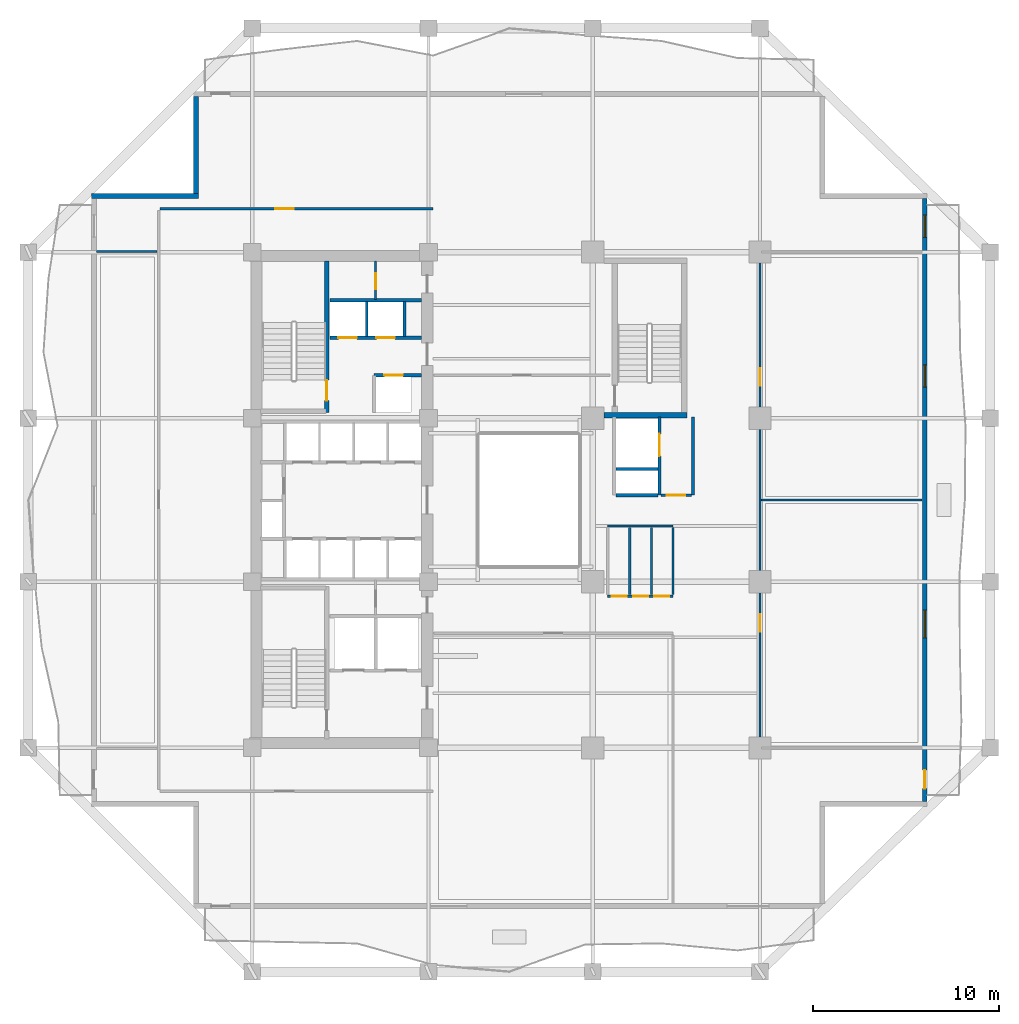
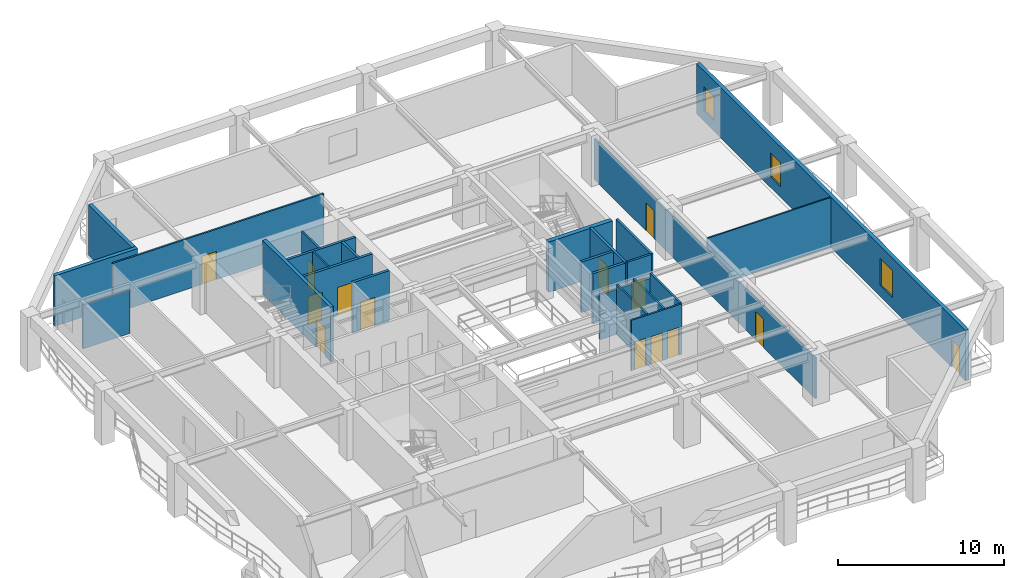
# One storey, part 4 of 13: 25 walls, 14 doors, 3 windows, 17 openings.
"""IFC4 building model written with IfcOpenShell, lengths in metres."""

from ifc_helpers import new_model, si_unit, direction, frame, frame_2d, origin, place, context, subcontext, project, spatial, rectangle, extrude, material, layer, layer_set, type_object, element, fill, save


model = new_model("IFC4")

# Units and contexts
model_context = context("Model", 3, precision=1e-05, world=origin(), true_north=direction((0.0, 1.0)))
body_context = subcontext(model_context, "Body", "Model", "MODEL_VIEW")
ifc_project = project(units=[si_unit("LENGTHUNIT", "METRE"), si_unit("AREAUNIT", "SQUARE_METRE"), si_unit("VOLUMEUNIT", "CUBIC_METRE"), si_unit("PLANEANGLEUNIT", "RADIAN"), si_unit("MASSUNIT", "GRAM", prefix="KILO")], contexts=[model_context])

# Site, building, storey
site_placement = place(None, origin())
site = spatial("IfcSite", under=ifc_project, at=site_placement, CompositionType="ELEMENT")
building_placement = place(site_placement, origin())
building = spatial("IfcBuilding", under=site, at=building_placement, Name="Kundavana Baori Tower", CompositionType="ELEMENT")
storey_placement = place(building_placement, frame((0.0, 0.0, 34.0)))
storey = spatial("IfcBuildingStorey", under=building, at=storey_placement, Name="L07", CompositionType="ELEMENT", Elevation=34.0)

# Wall, opening, door
ifc_material_1 = material(Name="Concrete C50/60", Category="concrete")
ifc_layer_1 = layer(ifc_material_1, 0.39990234375, Name="WL-CORE-400")
ifc_layer_set_1 = layer_set([ifc_layer_1], Name="Concrete C50/60")
wall_type_1 = type_object("IfcWallType", Name="WL-CORE-400", PredefinedType="SHEAR", material=ifc_layer_set_1)
wall_1_placement = place(storey_placement, frame((19.4599609375, 33.300048828125, 0.0), z_axis=(0.0, 0.0, 1.0), x_axis=(0.0, 1.0, 0.0)))
wall_1 = element("IfcWall", 1, at=wall_1_placement, inside=storey, type_object=wall_type_1, Name="WL-L07-ST2-E", PredefinedType="SHEAR", context=body_context, shape_type="SweptSolid", body=[
    extrude(rectangle(XDim=8.179931640625, YDim=0.239990234375, at=frame_2d((4.08984375, 0.0))), origin(), (0.0, 0.0, 1.0), 4.0),
])
opening_1_placement = place(wall_1_placement, frame((0.64990234375, 0.0, 0.0)))
opening_1 = element("IfcOpeningElement", 2, at=opening_1_placement, cuts=wall_1, Name="Opening FD-110", PredefinedType="OPENING", context=body_context, shape_type="SweptSolid", body=[
    extrude(rectangle(XDim=1.10009765625, YDim=2.10009765625, at=frame_2d((0.550048828125, 1.050048828125))), frame((0.0, 0.1298828125, 0.0), z_axis=(0.0, -1.0, 0.0), x_axis=(1.0, 0.0, 0.0)), (0.0, 0.0, 1.0), 0.260009765625),
])
ifc_material_2 = material(Name="Galvanised Steel Fire-Rated Door Leaf", Category="steel")
door_type_1 = type_object("IfcDoorType", Name="DR-FD120-1100", OperationType="NOTDEFINED", PredefinedType="DOOR", material=ifc_material_2)
door_1_placement = place(opening_1_placement, origin())
door_1 = element("IfcDoor", 3, at=door_1_placement, inside=storey, type_object=door_type_1, Name="DR-L07-ST2", OperationType="SINGLE_SWING_RIGHT", OverallHeight=2.10009765625, OverallWidth=1.10009765625, PredefinedType="DOOR", context=body_context, shape_type="SweptSolid", body=[
    extrude(rectangle(XDim=1.10009765625, YDim=2.10009765625, at=frame_2d((0.550048828125, 1.050048828125))), frame((0.0, 0.02490234375, 0.0), z_axis=(0.0, -1.0, 0.0), x_axis=(1.0, 0.0, 0.0)), (0.0, 0.0, 1.0), 0.050048828125),
])
fill(opening_1, door_1)

# Wall, openings, door, windows
ifc_material_3 = material(Name="Kiln-Fired Terracotta Brick-Slip Masonry on Concrete C40/50", Category="masonry")
ifc_layer_2 = layer(ifc_material_3, 0.260009765625, Name="WL-EXT-BRK-260")
ifc_layer_set_2 = layer_set([ifc_layer_2], Name="Kiln-Fired Terracotta Brick-Slip Masonry on Concrete C40/50")
wall_type_2 = type_object("IfcWallType", Name="WL-EXT-BRK-260", PredefinedType="SOLIDWALL", material=ifc_layer_set_2)
wall_2_placement = place(storey_placement, frame((51.669921875, 12.360107421875, 0.0), z_axis=(0.0, 0.0, 1.0), x_axis=(0.0, 1.0, 0.0)))
wall_2 = element("IfcWall", 4, at=wall_2_placement, inside=storey, type_object=wall_type_2, Name="L07 Exterior Insulated Facade Wall 04", PredefinedType="SOLIDWALL", context=body_context, shape_type="SweptSolid", body=[
    extrude(rectangle(XDim=32.47998046875, YDim=0.260009765625, at=frame_2d((16.239990234375, 0.0))), origin(), (0.0, 0.0, 1.0), 3.719970703125),
])
opening_2_placement = place(wall_2_placement, frame((0.68994140625, 0.0, 0.0)))
opening_2 = element("IfcOpeningElement", 5, at=opening_2_placement, cuts=wall_2, Name="Opening BD-1", PredefinedType="OPENING", context=body_context, shape_type="SweptSolid", body=[
    extrude(rectangle(XDim=1.0, YDim=2.050048828125, at=frame_2d((0.5, 1.02490234375))), frame((0.0, 0.14013671875, 0.0), z_axis=(0.0, -1.0, 0.0), x_axis=(1.0, 0.0, 0.0)), (0.0, 0.0, 1.0), 0.280029296875),
])
opening_3_placement = place(wall_2_placement, frame((8.81494140625, 0.0, 0.800048828125)))
opening_3 = element("IfcOpeningElement", 6, at=opening_3_placement, cuts=wall_2, Name="Opening W-02", PredefinedType="OPENING", context=body_context, shape_type="SweptSolid", body=[
    extrude(rectangle(XDim=1.5, YDim=2.0, at=frame_2d((0.75, 1.0))), frame((0.0, 0.14013671875, 0.0), z_axis=(0.0, -1.0, 0.0), x_axis=(1.0, 0.0, 0.0)), (0.0, 0.0, 1.0), 0.280029296875),
])
opening_4_placement = place(wall_2_placement, frame((22.31494140625, 0.0, 0.800048828125)))
opening_4 = element("IfcOpeningElement", 7, at=opening_4_placement, cuts=wall_2, Name="Opening W-03", PredefinedType="OPENING", context=body_context, shape_type="SweptSolid", body=[
    extrude(rectangle(XDim=1.199951171875, YDim=1.75, at=frame_2d((0.60009765625, 0.875))), frame((0.0, 0.14013671875, 0.0), z_axis=(0.0, -1.0, 0.0), x_axis=(1.0, 0.0, 0.0)), (0.0, 0.0, 1.0), 0.280029296875),
])
opening_5_placement = place(wall_2_placement, frame((30.3798828125, 0.0, 0.800048828125)))
opening_5 = element("IfcOpeningElement", 8, at=opening_5_placement, cuts=wall_2, Name="Opening W-03", PredefinedType="OPENING", context=body_context, shape_type="SweptSolid", body=[
    extrude(rectangle(XDim=1.199951171875, YDim=1.75, at=frame_2d((0.60009765625, 0.875))), frame((0.0, 0.14013671875, 0.0), z_axis=(0.0, -1.0, 0.0), x_axis=(1.0, 0.0, 0.0)), (0.0, 0.0, 1.0), 0.280029296875),
])
ifc_material_4 = material(Name="Architectural Patinated Bronze Metalwork")
door_type_2 = type_object("IfcDoorType", Name="DR-EXT-LOG-1000", OperationType="NOTDEFINED", PredefinedType="DOOR", material=ifc_material_4)
door_2_placement = place(opening_2_placement, frame((1.0, 0.0, 0.0), z_axis=(0.0, 0.0, 1.0), x_axis=(-1.0, 0.0, 0.0)))
door_2 = element("IfcDoor", 9, at=door_2_placement, inside=storey, type_object=door_type_2, Name="L07 Loggia Balcony Access Door E", OperationType="SINGLE_SWING_RIGHT", OverallHeight=2.050048828125, OverallWidth=1.0, PredefinedType="DOOR", context=body_context, shape_type="SweptSolid", body=[
    extrude(rectangle(XDim=1.0, YDim=2.050048828125, at=frame_2d((0.5, 1.02490234375))), frame((0.0, 0.02490234375, 0.0), z_axis=(0.0, -1.0, 0.0), x_axis=(1.0, 0.0, 0.0)), (0.0, 0.0, 1.0), 0.050048828125),
])
fill(opening_2, door_2)
ifc_material_5 = material(Name="Double-Glazed Solar-Control Low-E Insulated Glass", Category="glass")
window_type_1 = type_object("IfcWindowType", Name="WIN-LOG-1200x1750", PartitioningType="SINGLE_PANEL", PredefinedType="WINDOW", material=ifc_material_5)
window_1_placement = place(opening_4_placement, origin())
window_1 = element("IfcWindow", 10, at=window_1_placement, inside=storey, type_object=window_type_1, Name="L07 Recessed Loggia Window E-3", OverallHeight=1.75, OverallWidth=1.199951171875, PartitioningType="SINGLE_PANEL", PredefinedType="WINDOW", context=body_context, shape_type="SweptSolid", body=[
    extrude(rectangle(XDim=1.199951171875, YDim=1.75, at=frame_2d((0.60009765625, 0.875))), frame((0.0, 0.030029296875, 0.0), z_axis=(0.0, -1.0, 0.0), x_axis=(1.0, 0.0, 0.0)), (0.0, 0.0, 1.0), 0.06005859375),
])
fill(opening_4, window_1)
window_2_placement = place(opening_5_placement, origin())
window_2 = element("IfcWindow", 11, at=window_2_placement, inside=storey, type_object=window_type_1, Name="L07 Recessed Loggia Window E-4", OverallHeight=1.75, OverallWidth=1.199951171875, PartitioningType="SINGLE_PANEL", PredefinedType="WINDOW", context=body_context, shape_type="SweptSolid", body=[
    extrude(rectangle(XDim=1.199951171875, YDim=1.75, at=frame_2d((0.60009765625, 0.875))), frame((0.0, 0.030029296875, 0.0), z_axis=(0.0, -1.0, 0.0), x_axis=(1.0, 0.0, 0.0)), (0.0, 0.0, 1.0), 0.06005859375),
])
fill(opening_5, window_2)
ifc_material_6 = material(Name="Double-Glazed Solar-Control Low-E Insulated Glass", Category="glass")
window_type_2 = type_object("IfcWindowType", Name="WIN-LOG-1500x2000", PartitioningType="SINGLE_PANEL", PredefinedType="WINDOW", material=ifc_material_6)
window_3_placement = place(opening_3_placement, origin())
window_3 = element("IfcWindow", 12, at=window_3_placement, inside=storey, type_object=window_type_2, Name="L07 Recessed Loggia Window E-2", OverallHeight=2.0, OverallWidth=1.5, PartitioningType="SINGLE_PANEL", PredefinedType="WINDOW", context=body_context, shape_type="SweptSolid", body=[
    extrude(rectangle(XDim=1.5, YDim=2.0, at=frame_2d((0.75, 1.0))), frame((0.0, 0.030029296875, 0.0), z_axis=(0.0, -1.0, 0.0), x_axis=(1.0, 0.0, 0.0)), (0.0, 0.0, 1.0), 0.06005859375),
])
fill(opening_3, window_3)

# Walls
wall_3_placement = place(storey_placement, frame((12.429931640625, 50.340087890625, 0.0), z_axis=(0.0, 0.0, 1.0), x_axis=(0.0, -1.0, 0.0)))
element("IfcWall", 13, at=wall_3_placement, inside=storey, type_object=wall_type_2, Name="L07 Exterior Insulated Facade Wall 08", PredefinedType="SOLIDWALL", context=body_context, shape_type="SweptSolid", body=[
    extrude(rectangle(XDim=5.239990234375, YDim=0.260009765625, at=frame_2d((2.6201171875, 0.0))), origin(), (0.0, 0.0, 1.0), 3.719970703125),
])
wall_4_placement = place(storey_placement, frame((12.56005859375, 44.969970703125, 0.0), z_axis=(0.0, 0.0, 1.0), x_axis=(-1.0, 0.0, 0.0)))
element("IfcWall", 14, at=wall_4_placement, inside=storey, type_object=wall_type_2, Name="L07 Exterior Insulated Facade Wall 09", PredefinedType="SOLIDWALL", context=body_context, shape_type="SweptSolid", body=[
    extrude(rectangle(XDim=5.760009765625, YDim=0.260009765625, at=frame_2d((2.8798828125, 0.0))), origin(), (0.0, 0.0, 1.0), 3.719970703125),
])
ifc_material_7 = material(Name="Acoustic Gypsum Plasterboard on Galvanised Steel Studs", Category="steel")
ifc_layer_3 = layer(ifc_material_7, 0.10009765625, Name="WL-MOV-100")
ifc_layer_set_3 = layer_set([ifc_layer_3], Name="Acoustic Gypsum Plasterboard on Galvanised Steel Studs")
wall_type_3 = type_object("IfcWallType", Name="WL-MOV-100", PredefinedType="MOVABLE", material=ifc_layer_set_3)
wall_5_placement = place(storey_placement, frame((42.8798828125, 28.60009765625, 0.0), z_axis=(0.0, 0.0, 1.0), x_axis=(1.0, 0.0, 0.0)))
element("IfcWall", 15, at=wall_5_placement, inside=storey, type_object=wall_type_3, Name="WL-L07-ED1", PredefinedType="MOVABLE", context=body_context, shape_type="SweptSolid", body=[
    extrude(rectangle(XDim=8.64013671875, YDim=0.10009765625, at=frame_2d((4.320068359375, 0.0))), origin(), (0.0, 0.0, 1.0), 3.719970703125),
])
ifc_material_8 = material(Name="Acoustic Gypsum Plasterboard on Galvanised Steel Studs", Category="steel")
ifc_layer_4 = layer(ifc_material_8, 0.1201171875, Name="WL-PART-120")
ifc_layer_set_4 = layer_set([ifc_layer_4], Name="Acoustic Gypsum Plasterboard on Galvanised Steel Studs")
wall_type_4 = type_object("IfcWallType", Name="WL-PART-120", PredefinedType="PARTITIONING", material=ifc_layer_set_4)
wall_6_placement = place(storey_placement, frame((21.6201171875, 37.39990234375, 0.0), z_axis=(0.0, 0.0, 1.0), x_axis=(0.0, 1.0, 0.0)))
element("IfcWall", 16, at=wall_6_placement, inside=storey, type_object=wall_type_4, Name="WL-L07-HR-DIV1", PredefinedType="PARTITIONING", context=body_context, shape_type="SweptSolid", body=[
    extrude(rectangle(XDim=1.900146484375, YDim=0.1201171875, at=frame_2d((0.9501953125, 0.0))), origin(), (0.0, 0.0, 1.0), 3.719970703125),
])

# Wall, opening, door
wall_7_placement = place(storey_placement, frame((22.10009765625, 39.39990234375, 0.0), z_axis=(0.0, 0.0, 1.0), x_axis=(0.0, 1.0, 0.0)))
wall_7 = element("IfcWall", 17, at=wall_7_placement, inside=storey, type_object=wall_type_4, Name="WL-L07-CSRV-D1", PredefinedType="PARTITIONING", context=body_context, shape_type="SweptSolid", body=[
    extrude(rectangle(XDim=2.080078125, YDim=0.1201171875, at=frame_2d((1.0400390625, 0.0))), origin(), (0.0, 0.0, 1.0), 3.719970703125),
])
opening_6_placement = place(wall_7_placement, frame((0.550048828125, 0.0, 0.0)))
opening_6 = element("IfcOpeningElement", 18, at=opening_6_placement, cuts=wall_7, Name="Opening FD-085", PredefinedType="OPENING", context=body_context, shape_type="SweptSolid", body=[
    extrude(rectangle(XDim=0.85009765625, YDim=2.06005859375, at=frame_2d((0.425048828125, 1.030029296875))), frame((0.0, 0.070068359375, 0.0), z_axis=(0.0, -1.0, 0.0), x_axis=(1.0, 0.0, 0.0)), (0.0, 0.0, 1.0), 0.14013671875),
])
ifc_material_9 = material(Name="Galvanised Steel Fire-Rated Door Leaf", Category="steel")
door_type_3 = type_object("IfcDoorType", Name="DR-FD60-850", OperationType="NOTDEFINED", PredefinedType="DOOR", material=ifc_material_9)
door_3_placement = place(opening_6_placement, origin())
door_3 = element("IfcDoor", 19, at=door_3_placement, inside=storey, type_object=door_type_3, Name="DR-L07-CSRV1", OperationType="SINGLE_SWING_LEFT", OverallHeight=2.06005859375, OverallWidth=0.85009765625, PredefinedType="DOOR", context=body_context, shape_type="SweptSolid", body=[
    extrude(rectangle(XDim=0.85009765625, YDim=2.06005859375, at=frame_2d((0.425048828125, 1.030029296875))), frame((0.0, 0.02490234375, 0.0), z_axis=(0.0, -1.0, 0.0), x_axis=(1.0, 0.0, 0.0)), (0.0, 0.0, 1.0), 0.050048828125),
])
fill(opening_6, door_3)

# Wall, openings, doors
wall_8_placement = place(storey_placement, frame((34.60009765625, 23.419921875, 0.0), z_axis=(0.0, 0.0, 1.0), x_axis=(1.0, 0.0, 0.0)))
wall_8 = element("IfcWall", 20, at=wall_8_placement, inside=storey, type_object=wall_type_4, Name="WL-L07-OFST", PredefinedType="PARTITIONING", context=body_context, shape_type="SweptSolid", body=[
    extrude(rectangle(XDim=3.52001953125, YDim=0.1201171875, at=frame_2d((1.760009765625, 0.0))), origin(), (0.0, 0.0, 1.0), 3.719970703125),
])
opening_7_placement = place(wall_8_placement, frame((0.219970703125, 0.0, 0.0)))
opening_7 = element("IfcOpeningElement", 21, at=opening_7_placement, cuts=wall_8, Name="Opening WD-080", PredefinedType="OPENING", context=body_context, shape_type="SweptSolid", body=[
    extrude(rectangle(XDim=0.800048828125, YDim=2.050048828125, at=frame_2d((0.39990234375, 1.02490234375))), frame((0.0, 0.070068359375, 0.0), z_axis=(0.0, -1.0, 0.0), x_axis=(1.0, 0.0, 0.0)), (0.0, 0.0, 1.0), 0.14013671875),
])
opening_8_placement = place(wall_8_placement, frame((1.3798828125, 0.0, 0.0)))
opening_8 = element("IfcOpeningElement", 22, at=opening_8_placement, cuts=wall_8, Name="Opening WD-080", PredefinedType="OPENING", context=body_context, shape_type="SweptSolid", body=[
    extrude(rectangle(XDim=0.800048828125, YDim=2.050048828125, at=frame_2d((0.39990234375, 1.02490234375))), frame((0.0, 0.070068359375, 0.0), z_axis=(0.0, -1.0, 0.0), x_axis=(1.0, 0.0, 0.0)), (0.0, 0.0, 1.0), 0.14013671875),
])
opening_9_placement = place(wall_8_placement, frame((2.52001953125, 0.0, 0.0)))
opening_9 = element("IfcOpeningElement", 23, at=opening_9_placement, cuts=wall_8, Name="Opening WD-080", PredefinedType="OPENING", context=body_context, shape_type="SweptSolid", body=[
    extrude(rectangle(XDim=0.800048828125, YDim=2.050048828125, at=frame_2d((0.39990234375, 1.02490234375))), frame((0.0, 0.070068359375, 0.0), z_axis=(0.0, -1.0, 0.0), x_axis=(1.0, 0.0, 0.0)), (0.0, 0.0, 1.0), 0.14013671875),
])
ifc_material_10 = material(Name="Engineered Teak Solid-Core Timber Veneer", Category="wood")
door_type_4 = type_object("IfcDoorType", Name="DR-WET-800", OperationType="NOTDEFINED", PredefinedType="DOOR", material=ifc_material_10)
door_4_placement = place(opening_7_placement, origin())
door_4 = element("IfcDoor", 24, at=door_4_placement, inside=storey, type_object=door_type_4, Name="DR-L07-WCM", OperationType="SINGLE_SWING_LEFT", OverallHeight=2.050048828125, OverallWidth=0.800048828125, PredefinedType="DOOR", context=body_context, shape_type="SweptSolid", body=[
    extrude(rectangle(XDim=0.800048828125, YDim=2.050048828125, at=frame_2d((0.39990234375, 1.02490234375))), frame((0.0, 0.02490234375, 0.0), z_axis=(0.0, -1.0, 0.0), x_axis=(1.0, 0.0, 0.0)), (0.0, 0.0, 1.0), 0.050048828125),
])
fill(opening_7, door_4)
door_5_placement = place(opening_8_placement, origin())
door_5 = element("IfcDoor", 25, at=door_5_placement, inside=storey, type_object=door_type_4, Name="DR-L07-WCA", OperationType="SINGLE_SWING_RIGHT", OverallHeight=2.050048828125, OverallWidth=0.800048828125, PredefinedType="DOOR", context=body_context, shape_type="SweptSolid", body=[
    extrude(rectangle(XDim=0.800048828125, YDim=2.050048828125, at=frame_2d((0.39990234375, 1.02490234375))), frame((0.0, 0.02490234375, 0.0), z_axis=(0.0, -1.0, 0.0), x_axis=(1.0, 0.0, 0.0)), (0.0, 0.0, 1.0), 0.050048828125),
])
fill(opening_8, door_5)
door_6_placement = place(opening_9_placement, origin())
door_6 = element("IfcDoor", 26, at=door_6_placement, inside=storey, type_object=door_type_4, Name="DR-L07-PNT", OperationType="SINGLE_SWING_LEFT", OverallHeight=2.050048828125, OverallWidth=0.800048828125, PredefinedType="DOOR", context=body_context, shape_type="SweptSolid", body=[
    extrude(rectangle(XDim=0.800048828125, YDim=2.050048828125, at=frame_2d((0.39990234375, 1.02490234375))), frame((0.0, 0.02490234375, 0.0), z_axis=(0.0, -1.0, 0.0), x_axis=(1.0, 0.0, 0.0)), (0.0, 0.0, 1.0), 0.050048828125),
])
fill(opening_9, door_6)

wall_9_placement = place(storey_placement, frame((42.800048828125, 15.25, 0.0), z_axis=(0.0, 0.0, 1.0), x_axis=(0.0, 1.0, 0.0)))
wall_9 = element("IfcWall", 27, at=wall_9_placement, inside=storey, type_object=wall_type_4, Name="WL-L07-OFE", PredefinedType="PARTITIONING", context=body_context, shape_type="SweptSolid", body=[
    extrude(rectangle(XDim=26.699951171875, YDim=0.1201171875, at=frame_2d((13.35009765625, 0.0))), origin(), (0.0, 0.0, 1.0), 3.02001953125),
])
opening_10_placement = place(wall_9_placement, frame((6.25, 0.0, 0.0)))
opening_10 = element("IfcOpeningElement", 28, at=opening_10_placement, cuts=wall_9, Name="Opening ID-095", PredefinedType="OPENING", context=body_context, shape_type="SweptSolid", body=[
    extrude(rectangle(XDim=0.949951171875, YDim=2.080078125, at=frame_2d((0.47509765625, 1.0400390625))), frame((0.0, 0.070068359375, 0.0), z_axis=(0.0, -1.0, 0.0), x_axis=(1.0, 0.0, 0.0)), (0.0, 0.0, 1.0), 0.14013671875),
])
opening_11_placement = place(wall_9_placement, frame((19.5, 0.0, 0.0)))
opening_11 = element("IfcOpeningElement", 29, at=opening_11_placement, cuts=wall_9, Name="Opening ID-095", PredefinedType="OPENING", context=body_context, shape_type="SweptSolid", body=[
    extrude(rectangle(XDim=0.949951171875, YDim=2.080078125, at=frame_2d((0.47509765625, 1.0400390625))), frame((0.0, 0.070068359375, 0.0), z_axis=(0.0, -1.0, 0.0), x_axis=(1.0, 0.0, 0.0)), (0.0, 0.0, 1.0), 0.14013671875),
])
ifc_material_11 = material(Name="Engineered Teak Solid-Core Timber Veneer", Category="wood")
door_type_5 = type_object("IfcDoorType", Name="DR-INT-950", OperationType="NOTDEFINED", PredefinedType="DOOR", material=ifc_material_11)
door_7_placement = place(opening_10_placement, origin())
door_7 = element("IfcDoor", 30, at=door_7_placement, inside=storey, type_object=door_type_5, Name="DR-L07-OFE1", OperationType="SINGLE_SWING_RIGHT", OverallHeight=2.080078125, OverallWidth=0.949951171875, PredefinedType="DOOR", context=body_context, shape_type="SweptSolid", body=[
    extrude(rectangle(XDim=0.949951171875, YDim=2.080078125, at=frame_2d((0.47509765625, 1.0400390625))), frame((0.0, 0.02490234375, 0.0), z_axis=(0.0, -1.0, 0.0), x_axis=(1.0, 0.0, 0.0)), (0.0, 0.0, 1.0), 0.050048828125),
])
fill(opening_10, door_7)
door_8_placement = place(opening_11_placement, origin())
door_8 = element("IfcDoor", 31, at=door_8_placement, inside=storey, type_object=door_type_5, Name="DR-L07-OFE2", OperationType="SINGLE_SWING_LEFT", OverallHeight=2.080078125, OverallWidth=0.949951171875, PredefinedType="DOOR", context=body_context, shape_type="SweptSolid", body=[
    extrude(rectangle(XDim=0.949951171875, YDim=2.080078125, at=frame_2d((0.47509765625, 1.0400390625))), frame((0.0, 0.02490234375, 0.0), z_axis=(0.0, -1.0, 0.0), x_axis=(1.0, 0.0, 0.0)), (0.0, 0.0, 1.0), 0.050048828125),
])
fill(opening_11, door_8)

# Wall
wall_10_placement = place(storey_placement, frame((7.080078125, 41.97998046875, 0.0), z_axis=(0.0, 0.0, 1.0), x_axis=(1.0, 0.0, 0.0)))
element("IfcWall", 32, at=wall_10_placement, inside=storey, type_object=wall_type_4, Name="WL-L07-OWN", PredefinedType="PARTITIONING", context=body_context, shape_type="SweptSolid", body=[
    extrude(rectangle(XDim=3.260009765625, YDim=0.1201171875, at=frame_2d((1.6298828125, 0.0))), origin(), (0.0, 0.0, 1.0), 3.219970703125),
])

# Wall, opening, door
wall_11_placement = place(storey_placement, frame((10.5, 44.280029296875, 0.0), z_axis=(0.0, 0.0, 1.0), x_axis=(1.0, 0.0, 0.0)))
wall_11 = element("IfcWall", 33, at=wall_11_placement, inside=storey, type_object=wall_type_4, Name="WL-L07-ONC", PredefinedType="PARTITIONING", context=body_context, shape_type="SweptSolid", body=[
    extrude(rectangle(XDim=14.699951171875, YDim=0.1201171875, at=frame_2d((7.35009765625, 0.0))), origin(), (0.0, 0.0, 1.0), 3.719970703125),
])
opening_12_placement = place(wall_11_placement, frame((6.199951171875, 0.0, 0.0)))
opening_12 = element("IfcOpeningElement", 34, at=opening_12_placement, cuts=wall_11, Name="Opening ID-100", PredefinedType="OPENING", context=body_context, shape_type="SweptSolid", body=[
    extrude(rectangle(XDim=1.0, YDim=2.080078125, at=frame_2d((0.5, 1.0400390625))), frame((0.0, 0.070068359375, 0.0), z_axis=(0.0, -1.0, 0.0), x_axis=(1.0, 0.0, 0.0)), (0.0, 0.0, 1.0), 0.14013671875),
])
ifc_material_12 = material(Name="Engineered Teak Solid-Core Timber Veneer", Category="wood")
door_type_6 = type_object("IfcDoorType", Name="DR-INT-1000", OperationType="NOTDEFINED", PredefinedType="DOOR", material=ifc_material_12)
door_9_placement = place(opening_12_placement, origin())
door_9 = element("IfcDoor", 35, at=door_9_placement, inside=storey, type_object=door_type_6, Name="DR-L07-ONWC", OperationType="SINGLE_SWING_RIGHT", OverallHeight=2.080078125, OverallWidth=1.0, PredefinedType="DOOR", context=body_context, shape_type="SweptSolid", body=[
    extrude(rectangle(XDim=1.0, YDim=2.080078125, at=frame_2d((0.5, 1.0400390625))), frame((0.0, 0.02490234375, 0.0), z_axis=(0.0, -1.0, 0.0), x_axis=(1.0, 0.0, 0.0)), (0.0, 0.0, 1.0), 0.050048828125),
])
fill(opening_12, door_9)

# Wall
ifc_material_13 = material(Name="Fire-Rated Gypsum Drywall on Galvanised Steel Studs", Category="steel")
ifc_layer_5 = layer(ifc_material_13, 0.14990234375, Name="WL-PART-150")
ifc_layer_set_5 = layer_set([ifc_layer_5], Name="Fire-Rated Gypsum Drywall on Galvanised Steel Studs")
wall_type_5 = type_object("IfcWallType", Name="WL-PART-150", PredefinedType="PARTITIONING", material=ifc_layer_set_5)
wall_12_placement = place(storey_placement, frame((39.199951171875, 28.860107421875, 0.0), z_axis=(0.0, 0.0, 1.0), x_axis=(0.0, 1.0, 0.0)))
element("IfcWall", 36, at=wall_12_placement, inside=storey, type_object=wall_type_5, Name="WL-L07-SVLOB-E", PredefinedType="PARTITIONING", context=body_context, shape_type="SweptSolid", body=[
    extrude(rectangle(XDim=4.219970703125, YDim=0.14990234375, at=frame_2d((2.10986328125, 0.0))), origin(), (0.0, 0.0, 1.0), 3.719970703125),
])

# Wall, opening, door
wall_13_placement = place(storey_placement, frame((37.47998046875, 28.860107421875, 0.0), z_axis=(0.0, 0.0, 1.0), x_axis=(1.0, 0.0, 0.0)))
wall_13 = element("IfcWall", 37, at=wall_13_placement, inside=storey, type_object=wall_type_5, Name="WL-L07-SVLOB-S", PredefinedType="PARTITIONING", context=body_context, shape_type="SweptSolid", body=[
    extrude(rectangle(XDim=1.64013671875, YDim=0.14990234375, at=frame_2d((0.820068359375, 0.0))), origin(), (0.0, 0.0, 1.0), 3.719970703125),
])
opening_13_placement = place(wall_13_placement, frame((0.300048828125, 0.0, 0.0)))
opening_13 = element("IfcOpeningElement", 38, at=opening_13_placement, cuts=wall_13, Name="Opening FD-100", PredefinedType="OPENING", context=body_context, shape_type="SweptSolid", body=[
    extrude(rectangle(XDim=1.0, YDim=2.10009765625, at=frame_2d((0.5, 1.050048828125))), frame((0.0, 0.0849609375, 0.0), z_axis=(0.0, -1.0, 0.0), x_axis=(1.0, 0.0, 0.0)), (0.0, 0.0, 1.0), 0.169921875),
])
ifc_material_14 = material(Name="Engineered Teak Fire-Rated Timber Door Leaf", Category="wood")
door_type_7 = type_object("IfcDoorType", Name="DR-FD60-1000", OperationType="NOTDEFINED", PredefinedType="DOOR", material=ifc_material_14)
door_10_placement = place(opening_13_placement, origin())
door_10 = element("IfcDoor", 39, at=door_10_placement, inside=storey, type_object=door_type_7, Name="DR-L07-SVLOB-OUT", OperationType="SINGLE_SWING_LEFT", OverallHeight=2.10009765625, OverallWidth=1.0, PredefinedType="DOOR", context=body_context, shape_type="SweptSolid", body=[
    extrude(rectangle(XDim=1.0, YDim=2.10009765625, at=frame_2d((0.5, 1.050048828125))), frame((0.0, 0.02490234375, 0.0), z_axis=(0.0, -1.0, 0.0), x_axis=(1.0, 0.0, 0.0)), (0.0, 0.0, 1.0), 0.050048828125),
])
fill(opening_13, door_10)

ifc_material_15 = material(Name="Autoclaved Aerated Concrete Blockwork Masonry", Category="masonry")
ifc_layer_6 = layer(ifc_material_15, 0.179931640625, Name="WL-SHAFT-180")
ifc_layer_set_6 = layer_set([ifc_layer_6], Name="Autoclaved Aerated Concrete Blockwork Masonry")
wall_type_6 = type_object("IfcWallType", Name="WL-SHAFT-180", PredefinedType="SOLIDWALL", material=ifc_layer_set_6)
wall_14_placement = place(storey_placement, frame((22.02001953125, 35.31005859375, 0.0), z_axis=(0.0, 0.0, 1.0), x_axis=(1.0, 0.0, 0.0)))
wall_14 = element("IfcWall", 40, at=wall_14_placement, inside=storey, type_object=wall_type_6, Name="WL-L07-LP11-N", PredefinedType="SOLIDWALL", context=body_context, shape_type="SweptSolid", body=[
    extrude(rectangle(XDim=2.56005859375, YDim=0.179931640625, at=frame_2d((1.280029296875, 0.0))), origin(), (0.0, 0.0, 1.0), 3.719970703125),
])
opening_14_placement = place(wall_14_placement, frame((0.550048828125, 0.0, 0.0)))
opening_14 = element("IfcOpeningElement", 41, at=opening_14_placement, cuts=wall_14, Name="Opening LD-100", PredefinedType="OPENING", context=body_context, shape_type="SweptSolid", body=[
    extrude(rectangle(XDim=1.0, YDim=2.10009765625, at=frame_2d((0.5, 1.050048828125))), frame((0.0, 0.10009765625, 0.0), z_axis=(0.0, -1.0, 0.0), x_axis=(1.0, 0.0, 0.0)), (0.0, 0.0, 1.0), 0.199951171875),
])
ifc_material_16 = material(Name="Galvanised Steel Fire-Rated Door Leaf", Category="steel")
door_type_8 = type_object("IfcDoorType", Name="DR-SLIDE-LD1000", OperationType="NOTDEFINED", PredefinedType="DOOR", material=ifc_material_16)
door_11_placement = place(opening_14_placement, origin())
door_11 = element("IfcDoor", 42, at=door_11_placement, inside=storey, type_object=door_type_8, Name="DR-L07-LD-LP11", OperationType="DOUBLE_DOOR_SLIDING", OverallHeight=2.10009765625, OverallWidth=1.0, PredefinedType="DOOR", context=body_context, shape_type="SweptSolid", body=[
    extrude(rectangle(XDim=1.0, YDim=2.10009765625, at=frame_2d((0.5, 1.050048828125))), frame((0.0, 0.02490234375, 0.0), z_axis=(0.0, -1.0, 0.0), x_axis=(1.0, 0.0, 0.0)), (0.0, 0.0, 1.0), 0.050048828125),
])
fill(opening_14, door_11)

# Wall, openings, doors
wall_15_placement = place(storey_placement, frame((19.639892578125, 37.340087890625, 0.0), z_axis=(0.0, 0.0, 1.0), x_axis=(1.0, 0.0, 0.0)))
wall_15 = element("IfcWall", 43, at=wall_15_placement, inside=storey, type_object=wall_type_6, Name="WL-L07-HRLOB-N", PredefinedType="SOLIDWALL", context=body_context, shape_type="SweptSolid", body=[
    extrude(rectangle(XDim=4.940185546875, YDim=0.179931640625, at=frame_2d((2.47021484375, 0.0))), origin(), (0.0, 0.0, 1.0), 3.719970703125),
])
opening_15_placement = place(wall_15_placement, frame((0.449951171875, 0.0, 0.0)))
opening_15 = element("IfcOpeningElement", 44, at=opening_15_placement, cuts=wall_15, Name="Opening LD-100", PredefinedType="OPENING", context=body_context, shape_type="SweptSolid", body=[
    extrude(rectangle(XDim=1.0, YDim=2.10009765625, at=frame_2d((0.5, 1.050048828125))), frame((0.0, 0.10009765625, 0.0), z_axis=(0.0, -1.0, 0.0), x_axis=(1.0, 0.0, 0.0)), (0.0, 0.0, 1.0), 0.199951171875),
])
opening_16_placement = place(wall_15_placement, frame((2.5, 0.0, 0.0)))
opening_16 = element("IfcOpeningElement", 45, at=opening_16_placement, cuts=wall_15, Name="Opening LD-100", PredefinedType="OPENING", context=body_context, shape_type="SweptSolid", body=[
    extrude(rectangle(XDim=1.0, YDim=2.10009765625, at=frame_2d((0.5, 1.050048828125))), frame((0.0, 0.10009765625, 0.0), z_axis=(0.0, -1.0, 0.0), x_axis=(1.0, 0.0, 0.0)), (0.0, 0.0, 1.0), 0.199951171875),
])
door_12_placement = place(opening_15_placement, frame((1.0, 0.0, 0.0), z_axis=(0.0, 0.0, 1.0), x_axis=(-1.0, 0.0, 0.0)))
door_12 = element("IfcDoor", 46, at=door_12_placement, inside=storey, type_object=door_type_8, Name="DR-L07-LD-LP09", OperationType="DOUBLE_DOOR_SLIDING", OverallHeight=2.10009765625, OverallWidth=1.0, PredefinedType="DOOR", context=body_context, shape_type="SweptSolid", body=[
    extrude(rectangle(XDim=1.0, YDim=2.10009765625, at=frame_2d((0.5, 1.050048828125))), frame((0.0, 0.02490234375, 0.0), z_axis=(0.0, -1.0, 0.0), x_axis=(1.0, 0.0, 0.0)), (0.0, 0.0, 1.0), 0.050048828125),
])
fill(opening_15, door_12)
door_13_placement = place(opening_16_placement, frame((1.0, 0.0, 0.0), z_axis=(0.0, 0.0, 1.0), x_axis=(-1.0, 0.0, 0.0)))
door_13 = element("IfcDoor", 47, at=door_13_placement, inside=storey, type_object=door_type_8, Name="DR-L07-LD-LP10", OperationType="DOUBLE_DOOR_SLIDING", OverallHeight=2.10009765625, OverallWidth=1.0, PredefinedType="DOOR", context=body_context, shape_type="SweptSolid", body=[
    extrude(rectangle(XDim=1.0, YDim=2.10009765625, at=frame_2d((0.5, 1.050048828125))), frame((0.0, 0.02490234375, 0.0), z_axis=(0.0, -1.0, 0.0), x_axis=(1.0, 0.0, 0.0)), (0.0, 0.0, 1.0), 0.050048828125),
])
fill(opening_16, door_13)

# Walls
wall_16_placement = place(storey_placement, frame((19.639892578125, 39.360107421875, 0.0), z_axis=(0.0, 0.0, 1.0), x_axis=(1.0, 0.0, 0.0)))
element("IfcWall", 48, at=wall_16_placement, inside=storey, type_object=wall_type_6, Name="WL-L07-HRLOB-TOP", PredefinedType="SOLIDWALL", context=body_context, shape_type="SweptSolid", body=[
    extrude(rectangle(XDim=4.940185546875, YDim=0.179931640625, at=frame_2d((2.47021484375, 0.0))), origin(), (0.0, 0.0, 1.0), 3.719970703125),
])
wall_17_placement = place(storey_placement, frame((23.659912109375, 37.39990234375, 0.0), z_axis=(0.0, 0.0, 1.0), x_axis=(0.0, 1.0, 0.0)))
element("IfcWall", 49, at=wall_17_placement, inside=storey, type_object=wall_type_6, Name="WL-L07-HR-DIV2", PredefinedType="SOLIDWALL", context=body_context, shape_type="SweptSolid", body=[
    extrude(rectangle(XDim=1.900146484375, YDim=0.179931640625, at=frame_2d((0.9501953125, 0.0))), origin(), (0.0, 0.0, 1.0), 3.719970703125),
])

# Wall, opening, door
wall_18_placement = place(storey_placement, frame((37.389892578125, 28.860107421875, 0.0), z_axis=(0.0, 0.0, 1.0), x_axis=(0.0, 1.0, 0.0)))
wall_18 = element("IfcWall", 50, at=wall_18_placement, inside=storey, type_object=wall_type_6, Name="WL-L07-SVL-E", PredefinedType="SOLIDWALL", context=body_context, shape_type="SweptSolid", body=[
    extrude(rectangle(XDim=4.219970703125, YDim=0.179931640625, at=frame_2d((2.10986328125, 0.0))), origin(), (0.0, 0.0, 1.0), 3.719970703125),
])
opening_17_placement = place(wall_18_placement, frame((2.10009765625, 0.0, 0.0)))
opening_17 = element("IfcOpeningElement", 51, at=opening_17_placement, cuts=wall_18, Name="Opening LD-120", PredefinedType="OPENING", context=body_context, shape_type="SweptSolid", body=[
    extrude(rectangle(XDim=1.199951171875, YDim=2.1201171875, at=frame_2d((0.60009765625, 1.06005859375))), frame((0.0, 0.10009765625, 0.0), z_axis=(0.0, -1.0, 0.0), x_axis=(1.0, 0.0, 0.0)), (0.0, 0.0, 1.0), 0.199951171875),
])
ifc_material_17 = material(Name="Galvanised Steel Fire-Rated Door Leaf", Category="steel")
door_type_9 = type_object("IfcDoorType", Name="DR-SLIDE-LD1200", OperationType="NOTDEFINED", PredefinedType="DOOR", material=ifc_material_17)
door_14_placement = place(opening_17_placement, frame((1.199951171875, 0.0, 0.0), z_axis=(0.0, 0.0, 1.0), x_axis=(-1.0, 0.0, 0.0)))
door_14 = element("IfcDoor", 52, at=door_14_placement, inside=storey, type_object=door_type_9, Name="DR-L07-LD-SVL1", OperationType="DOUBLE_DOOR_SLIDING", OverallHeight=2.1201171875, OverallWidth=1.199951171875, PredefinedType="DOOR", context=body_context, shape_type="SweptSolid", body=[
    extrude(rectangle(XDim=1.199951171875, YDim=2.1201171875, at=frame_2d((0.60009765625, 1.06005859375))), frame((0.0, 0.02490234375, 0.0), z_axis=(0.0, -1.0, 0.0), x_axis=(1.0, 0.0, 0.0)), (0.0, 0.0, 1.0), 0.050048828125),
])
fill(opening_17, door_14)

# Walls
for number, where, z_axis, x_axis, name in (
    (53, (35.050048828125, 28.860107421875, 0.0), (0.0, 0.0, 1.0), (1.0, 0.0, 0.0), "WL-L07-SVL-S"),
    (54, (35.050048828125, 30.27001953125, 0.0), (0.0, 0.0, 1.0), (1.0, 0.0, 0.0), "WL-L07-SVL-M"),
):
    element("IfcWall", number, at=place(storey_placement, frame(where, z_axis=z_axis, x_axis=x_axis)), inside=storey, type_object=wall_type_6, Name=name, PredefinedType="SOLIDWALL", context=body_context, shape_type="SweptSolid", body=[
        extrude(rectangle(XDim=2.25, YDim=0.179931640625, at=frame_2d((1.125, 0.0))), origin(), (0.0, 0.0, 1.0), 3.719970703125),
    ])
ifc_material_18 = material(Name="Concrete C50/60", Category="concrete")
ifc_layer_7 = layer(ifc_material_18, 0.300048828125, Name="WL-ST3-300")
ifc_layer_set_7 = layer_set([ifc_layer_7], Name="Concrete C50/60")
wall_type_7 = type_object("IfcWallType", Name="WL-ST3-300", PredefinedType="SHEAR", material=ifc_layer_set_7)
wall_19_placement = place(storey_placement, frame((34.39990234375, 33.159912109375, 0.0), z_axis=(0.0, 0.0, 1.0), x_axis=(1.0, 0.0, 0.0)))
element("IfcWall", 55, at=wall_19_placement, inside=storey, type_object=wall_type_7, Name="L07 Stair ST3 South Shear Wall", PredefinedType="SHEAR", context=body_context, shape_type="SweptSolid", body=[
    extrude(rectangle(XDim=4.47021484375, YDim=0.300048828125, at=frame_2d((2.235107421875, 0.0))), origin(), (0.0, 0.0, 1.0), 3.719970703125),
])
ifc_material_19 = material(Name="Autoclaved Aerated Concrete Blockwork Masonry", Category="masonry")
ifc_layer_8 = layer(ifc_material_19, 0.125, Name="WL-WET-120")
ifc_layer_set_8 = layer_set([ifc_layer_8], Name="Autoclaved Aerated Concrete Blockwork Masonry")
wall_type_8 = type_object("IfcWallType", Name="WL-WET-120", PredefinedType="PLUMBINGWALL", material=ifc_layer_set_8)
wall_20_placement = place(storey_placement, frame((34.60009765625, 27.199951171875, 0.0), z_axis=(0.0, 0.0, 1.0), x_axis=(1.0, 0.0, 0.0)))
element("IfcWall", 56, at=wall_20_placement, inside=storey, type_object=wall_type_8, Name="WL-L07-WCN", PredefinedType="PLUMBINGWALL", context=body_context, shape_type="SweptSolid", body=[
    extrude(rectangle(XDim=3.52001953125, YDim=0.125, at=frame_2d((1.760009765625, 0.0))), origin(), (0.0, 0.0, 1.0), 3.320068359375),
])
for number, where, z_axis, x_axis, name in (
    (57, (38.1201171875, 23.5, 0.0), (0.0, 0.0, 1.0), (0.0, 1.0, 0.0), "WL-L07-WCE"),
    (58, (35.780029296875, 23.5, 0.0), (0.0, 0.0, 1.0), (0.0, 1.0, 0.0), "WL-L07-WCD1"),
    (59, (36.9599609375, 23.5, 0.0), (0.0, 0.0, 1.0), (0.0, 1.0, 0.0), "WL-L07-WCD2"),
):
    element("IfcWall", number, at=place(storey_placement, frame(where, z_axis=z_axis, x_axis=x_axis)), inside=storey, type_object=wall_type_8, Name=name, PredefinedType="PLUMBINGWALL", context=body_context, shape_type="SweptSolid", body=[
        extrude(rectangle(XDim=3.6201171875, YDim=0.125, at=frame_2d((1.81005859375, 0.0))), origin(), (0.0, 0.0, 1.0), 3.719970703125),
    ])

save(model, "model.ifc")
